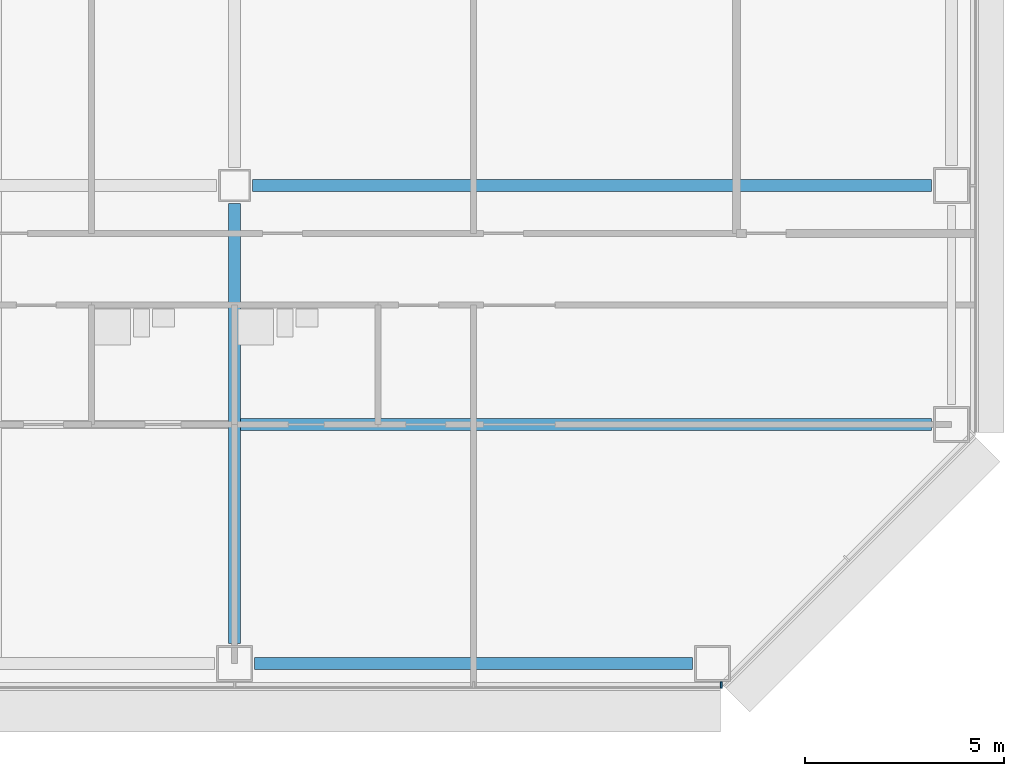
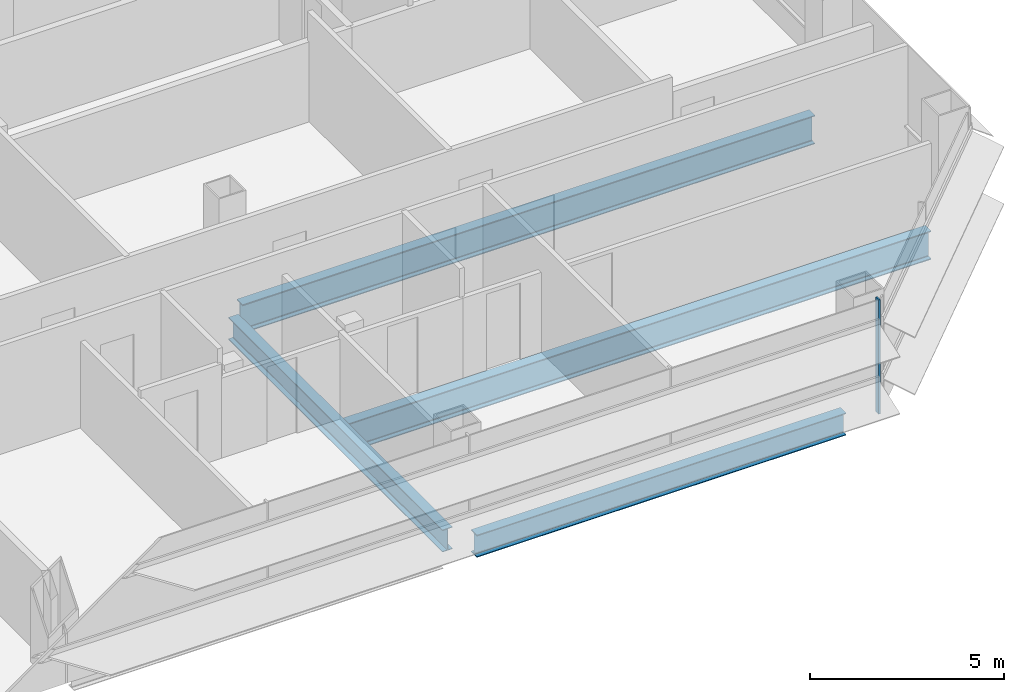
# One storey, part 9 of 27: 4 beams, 1 member, 1 element without a shape of its own.
"""IFC4 building model written with IfcOpenShell, lengths in metres."""

from ifc_helpers import new_model, si_unit, direction, frame, origin, origin_2d, place, context, subcontext, project, spatial, rectangle, i_section, extrude, material, material_profile, profile_set, type_object, element, aggregate, save


model = new_model("IFC4")

# Units and contexts
model_context = context("Model", 3, precision=1e-05, world=origin(), true_north=direction((0.0, 1.0)))
body_context = subcontext(model_context, "Body", "Model", "MODEL_VIEW")
ifc_project = project(units=[si_unit("LENGTHUNIT", "METRE"), si_unit("AREAUNIT", "SQUARE_METRE"), si_unit("VOLUMEUNIT", "CUBIC_METRE"), si_unit("PLANEANGLEUNIT", "RADIAN"), si_unit("MASSUNIT", "GRAM", prefix="KILO")], contexts=[model_context])

# Site, building, storey
site_placement = place(None, origin())
site = spatial("IfcSite", under=ifc_project, at=site_placement, CompositionType="ELEMENT")
building_placement = place(site_placement, origin())
building = spatial("IfcBuilding", under=site, at=building_placement, Name="Sorahane Residences", CompositionType="ELEMENT")
storey_placement = place(building_placement, frame((0.0, 0.0, 49.800048828125)))
storey = spatial("IfcBuildingStorey", under=building, at=storey_placement, Name="L08", CompositionType="ELEMENT", Elevation=49.800048828125)

# Curtain wall, member
ifc_material_1 = material(Name="Dark low-e glass and black anodised aluminium", Category="aluminium")
curtain_wall_type = type_object("IfcCurtainWallType", Name="Curtain wall CW-1 Typical unitised wall", PredefinedType="NOTDEFINED", material=ifc_material_1)
curtain_wall_placement = place(storey_placement, origin())
curtain_wall = element("IfcCurtainWall", 1, at=curtain_wall_placement, inside=storey, type_object=curtain_wall_type, Name="CW-1 curtain wall L08 S1", PredefinedType="NOTDEFINED")
ifc_material_2 = material(Name="Black anodised aluminium", Category="aluminium")
ifc_material_profile_1 = material_profile(ifc_material_2, rectangle(XDim=0.159912109375, YDim=0.050048828125, at=origin_2d()), Name="Curtain wall mullion CW-1 black anodised aluminium 50x160")
ifc_profile_set_1 = profile_set([ifc_material_profile_1], Name="Black anodised aluminium")
member_type = type_object("IfcMemberType", Name="Curtain wall mullion CW-1 black anodised aluminium 50x160", PredefinedType="MULLION", material=ifc_profile_set_1)
member_placement = place(storey_placement, frame((60.2236328125, -0.5400390625, -0.179931640625), z_axis=(0.0, 0.0, 1.0), x_axis=(0.0, -1.0, 0.0)))
member = element("IfcMember", 2, at=member_placement, type_object=member_type, Name="CW-1 mullion L08 S1.10", PredefinedType="MULLION", context=body_context, shape_type="SweptSolid", body=[
    extrude(rectangle(XDim=0.159912109375, YDim=0.050048828125, at=origin_2d()), origin(), (0.0, 0.0, 1.0), 3.599853515625),
])
aggregate(curtain_wall, [member])

# Beams
ifc_material_3 = material(Name="Steel Q355B", Category="steel")
ifc_material_profile_2 = material_profile(ifc_material_3, i_section(OverallWidth=0.300048828125, OverallDepth=0.699951171875, WebThickness=0.012939453125, FlangeThickness=0.02392578125, FilletRadius=0.028076171875, at=origin_2d()), Name="HN 700x300x13x24")
ifc_profile_set_2 = profile_set([ifc_material_profile_2], Name="Steel Q355B")
beam_type_1 = type_object("IfcBeamType", Name="Steel floor beam HN 700x300x13x24 Q355B", PredefinedType="BEAM", material=ifc_profile_set_2)
beam_1_placement = place(storey_placement, frame((48.5, 0.0, -0.530029296875), z_axis=(1.0, 0.0, 0.0), x_axis=(0.0, 1.0, 0.0)))
element("IfcBeam", 3, at=beam_1_placement, inside=storey, type_object=beam_type_1, Name="Beam L08 004", PredefinedType="BEAM", context=body_context, shape_type="SweptSolid", body=[
    extrude(i_section(OverallWidth=0.300048828125, OverallDepth=0.699951171875, WebThickness=0.012939453125, FlangeThickness=0.02392578125, FilletRadius=0.028076171875, at=origin_2d()), origin(), (0.0, 0.0, 1.0), 11.0),
])
beam_2_placement = place(storey_placement, frame((48.0, 0.5, -0.530029296875), z_axis=(0.0, 1.0, 0.0), x_axis=(-1.0, 0.0, 0.0)))
element("IfcBeam", 4, at=beam_2_placement, inside=storey, type_object=beam_type_1, Name="Beam L08 051", PredefinedType="BEAM", context=body_context, shape_type="SweptSolid", body=[
    extrude(i_section(OverallWidth=0.300048828125, OverallDepth=0.699951171875, WebThickness=0.012939453125, FlangeThickness=0.02392578125, FilletRadius=0.028076171875, at=origin_2d()), origin(), (0.0, 0.0, 1.0), 11.050048828125),
])
ifc_material_4 = material(Name="Steel Q355B", Category="steel")
ifc_material_profile_3 = material_profile(ifc_material_4, i_section(OverallWidth=0.300048828125, OverallDepth=0.89990234375, WebThickness=0.01611328125, FlangeThickness=0.028076171875, FilletRadius=0.028076171875, at=origin_2d()), Name="HN 900x300x16x28")
ifc_profile_set_3 = profile_set([ifc_material_profile_3], Name="Steel Q355B")
beam_type_2 = type_object("IfcBeamType", Name="Steel floor beam HN 900x300x16x28 Q355B", PredefinedType="BEAM", material=ifc_profile_set_3)
beam_3_placement = place(storey_placement, frame((48.449951171875, 12.0, -0.630126953125), z_axis=(1.0, 0.0, 0.0), x_axis=(0.0, 1.0, 0.0)))
element("IfcBeam", 5, at=beam_3_placement, inside=storey, type_object=beam_type_2, Name="Beam L08 009", PredefinedType="BEAM", context=body_context, shape_type="SweptSolid", body=[
    extrude(i_section(OverallWidth=0.300048828125, OverallDepth=0.89990234375, WebThickness=0.01611328125, FlangeThickness=0.028076171875, FilletRadius=0.028076171875, at=origin_2d()), origin(), (0.0, 0.0, 1.0), 17.050048828125),
])
beam_4_placement = place(storey_placement, frame((48.14990234375, 6.0, -0.630126953125), z_axis=(1.0, 0.0, 0.0), x_axis=(0.0, 1.0, 0.0)))
element("IfcBeam", 6, at=beam_4_placement, inside=storey, type_object=beam_type_2, Name="Beam L08 069", PredefinedType="BEAM", context=body_context, shape_type="SweptSolid", body=[
    extrude(i_section(OverallWidth=0.300048828125, OverallDepth=0.89990234375, WebThickness=0.01611328125, FlangeThickness=0.028076171875, FilletRadius=0.028076171875, at=origin_2d()), origin(), (0.0, 0.0, 1.0), 17.35009765625),
])

save(model, "model.ifc")
